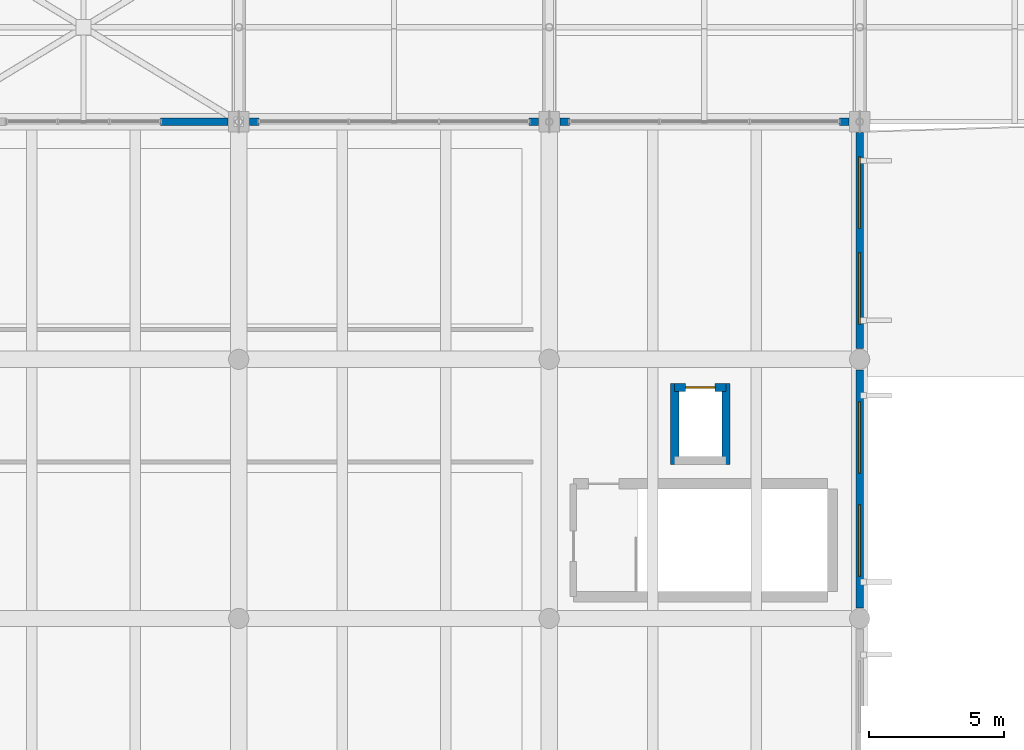
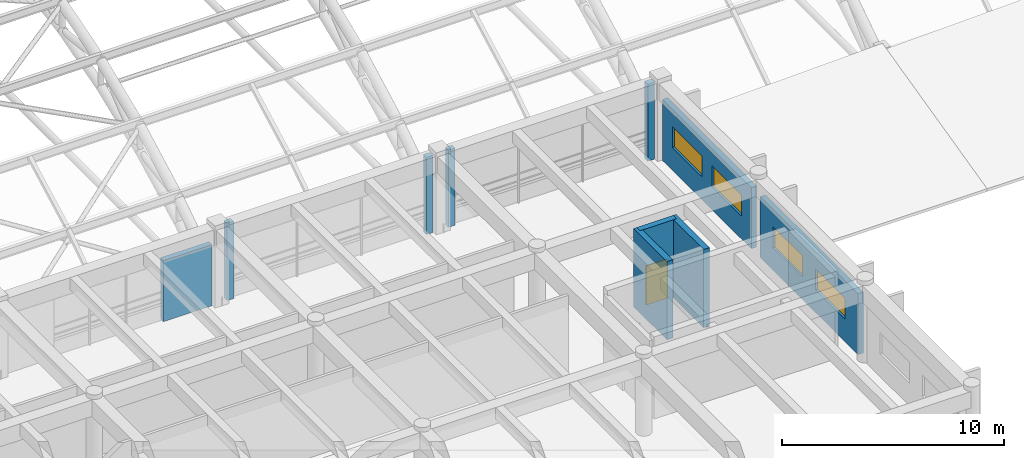
# One storey, part 136 of 154: 10 walls, 4 windows, 1 door, 5 openings.
"""IFC4 building model written with IfcOpenShell, lengths in metres."""

from ifc_helpers import new_model, si_unit, direction, frame, frame_2d, origin, place, context, subcontext, project, spatial, rectangle, extrude, material, layer, layer_set, type_object, element, fill, save


model = new_model("IFC4")

# Units and contexts
model_context = context("Model", 3, precision=1e-05, world=origin(), true_north=direction((0.0, 1.0)))
body_context = subcontext(model_context, "Body", "Model", "MODEL_VIEW")
ifc_project = project(units=[si_unit("LENGTHUNIT", "METRE"), si_unit("AREAUNIT", "SQUARE_METRE"), si_unit("VOLUMEUNIT", "CUBIC_METRE"), si_unit("PLANEANGLEUNIT", "RADIAN"), si_unit("MASSUNIT", "GRAM", prefix="KILO")], contexts=[model_context])

# Site, building, storey
site_placement = place(None, origin())
site = spatial("IfcSite", under=ifc_project, at=site_placement, CompositionType="ELEMENT")
building_placement = place(site_placement, origin())
building = spatial("IfcBuilding", under=site, at=building_placement, Name="Ologun Quay Terminus", CompositionType="ELEMENT")
storey_placement = place(building_placement, frame((0.0, 0.0, 13.800048828125)))
storey = spatial("IfcBuildingStorey", under=building, at=storey_placement, Name="L03", CompositionType="ELEMENT", Elevation=13.800048828125)

# Wall, openings, windows
ifc_material_1 = material(Name="Concrete C40/50", Category="concrete")
ifc_layer_1 = layer(ifc_material_1, 0.280029296875)
ifc_layer_set_1 = layer_set([ifc_layer_1], Name="Concrete C40/50")
wall_type_1 = type_object("IfcWallType", Name="Courtyard Wing Spandrel Concrete Wall 280", PredefinedType="SOLIDWALL", material=ifc_layer_set_1)
wall_1_placement = place(storey_placement, frame((126.5, 17.9951171875, 0.0), z_axis=(0.0, 0.0, 1.0), x_axis=(0.0, 1.0, 0.0)))
wall_1 = element("IfcWall", 1, at=wall_1_placement, inside=storey, type_object=wall_type_1, Name="EW-02 Facade Wall WEW-SA-L03-1-8", PredefinedType="SOLIDWALL", context=body_context, shape_type="SweptSolid", body=[
    extrude(rectangle(XDim=8.809814453125, YDim=0.280029296875, at=frame_2d((4.40478515625, 0.0))), origin(), (0.0, 0.0, 1.0), 3.349853515625),
])
opening_1_placement = place(wall_1_placement, frame((1.169921875, 0.0, 1.25)))
opening_1 = element("IfcOpeningElement", 2, at=opening_1_placement, cuts=wall_1, Name="Opening WN-095", PredefinedType="OPENING", context=body_context, shape_type="SweptSolid", body=[
    extrude(rectangle(XDim=2.64990234375, YDim=1.14990234375, at=frame_2d((1.324951171875, 0.574951171875))), frame((0.0, 0.14990234375, 0.0), z_axis=(0.0, -1.0, 0.0), x_axis=(1.0, 0.0, 0.0)), (0.0, 0.0, 1.0), 0.300048828125),
])
opening_2_placement = place(wall_1_placement, frame((4.989990234375, 0.0, 1.25)))
opening_2 = element("IfcOpeningElement", 3, at=opening_2_placement, cuts=wall_1, Name="Opening WN-096", PredefinedType="OPENING", context=body_context, shape_type="SweptSolid", body=[
    extrude(rectangle(XDim=2.64990234375, YDim=1.14990234375, at=frame_2d((1.324951171875, 0.574951171875))), frame((0.0, 0.14990234375, 0.0), z_axis=(0.0, -1.0, 0.0), x_axis=(1.0, 0.0, 0.0)), (0.0, 0.0, 1.0), 0.300048828125),
])
ifc_material_2 = material(Name="Glass", Category="glass")
window_type = type_object("IfcWindowType", Name="Lecture Room Acoustic Clerestory 2650x1150", PartitioningType="SINGLE_PANEL", PredefinedType="LIGHTDOME", material=ifc_material_2)
window_1_placement = place(opening_1_placement, origin())
window_1 = element("IfcWindow", 4, at=window_1_placement, inside=storey, type_object=window_type, Name="W-28 Window WN-095", OverallHeight=1.14990234375, OverallWidth=2.64990234375, PartitioningType="SINGLE_PANEL", PredefinedType="LIGHTDOME", context=body_context, shape_type="SweptSolid", body=[
    extrude(rectangle(XDim=2.64990234375, YDim=1.14990234375, at=frame_2d((1.324951171875, 0.574951171875))), frame((0.0, 0.030029296875, 0.0), z_axis=(0.0, -1.0, 0.0), x_axis=(1.0, 0.0, 0.0)), (0.0, 0.0, 1.0), 0.06005859375),
])
fill(opening_1, window_1)
window_2_placement = place(opening_2_placement, origin())
window_2 = element("IfcWindow", 5, at=window_2_placement, inside=storey, type_object=window_type, Name="W-28 Window WN-096", OverallHeight=1.14990234375, OverallWidth=2.64990234375, PartitioningType="SINGLE_PANEL", PredefinedType="LIGHTDOME", context=body_context, shape_type="SweptSolid", body=[
    extrude(rectangle(XDim=2.64990234375, YDim=1.14990234375, at=frame_2d((1.324951171875, 0.574951171875))), frame((0.0, 0.030029296875, 0.0), z_axis=(0.0, -1.0, 0.0), x_axis=(1.0, 0.0, 0.0)), (0.0, 0.0, 1.0), 0.06005859375),
])
fill(opening_2, window_2)

wall_2_placement = place(storey_placement, frame((126.5, 27.594970703125, 0.0), z_axis=(0.0, 0.0, 1.0), x_axis=(0.0, 1.0, 0.0)))
wall_2 = element("IfcWall", 6, at=wall_2_placement, inside=storey, type_object=wall_type_1, Name="EW-02 Facade Wall WEW-SA-L03-1-9", PredefinedType="SOLIDWALL", context=body_context, shape_type="SweptSolid", body=[
    extrude(rectangle(XDim=8.010009765625, YDim=0.280029296875, at=frame_2d((4.0048828125, 0.0))), origin(), (0.0, 0.0, 1.0), 3.349853515625),
])
opening_3_placement = place(wall_2_placement, frame((0.9033203125, 0.0, 1.25)))
opening_3 = element("IfcOpeningElement", 7, at=opening_3_placement, cuts=wall_2, Name="Opening WN-097", PredefinedType="OPENING", context=body_context, shape_type="SweptSolid", body=[
    extrude(rectangle(XDim=2.64990234375, YDim=1.14990234375, at=frame_2d((1.324951171875, 0.574951171875))), frame((0.0, 0.14990234375, 0.0), z_axis=(0.0, -1.0, 0.0), x_axis=(1.0, 0.0, 0.0)), (0.0, 0.0, 1.0), 0.300048828125),
])
opening_4_placement = place(wall_2_placement, frame((4.456787109375, 0.0, 1.25)))
opening_4 = element("IfcOpeningElement", 8, at=opening_4_placement, cuts=wall_2, Name="Opening WN-098", PredefinedType="OPENING", context=body_context, shape_type="SweptSolid", body=[
    extrude(rectangle(XDim=2.64990234375, YDim=1.14990234375, at=frame_2d((1.324951171875, 0.574951171875))), frame((0.0, 0.14990234375, 0.0), z_axis=(0.0, -1.0, 0.0), x_axis=(1.0, 0.0, 0.0)), (0.0, 0.0, 1.0), 0.300048828125),
])
window_3_placement = place(opening_3_placement, origin())
window_3 = element("IfcWindow", 9, at=window_3_placement, inside=storey, type_object=window_type, Name="W-28 Window WN-097", OverallHeight=1.14990234375, OverallWidth=2.64990234375, PartitioningType="SINGLE_PANEL", PredefinedType="LIGHTDOME", context=body_context, shape_type="SweptSolid", body=[
    extrude(rectangle(XDim=2.64990234375, YDim=1.14990234375, at=frame_2d((1.324951171875, 0.574951171875))), frame((0.0, 0.030029296875, 0.0), z_axis=(0.0, -1.0, 0.0), x_axis=(1.0, 0.0, 0.0)), (0.0, 0.0, 1.0), 0.06005859375),
])
fill(opening_3, window_3)
window_4_placement = place(opening_4_placement, origin())
window_4 = element("IfcWindow", 10, at=window_4_placement, inside=storey, type_object=window_type, Name="W-28 Window WN-098", OverallHeight=1.14990234375, OverallWidth=2.64990234375, PartitioningType="SINGLE_PANEL", PredefinedType="LIGHTDOME", context=body_context, shape_type="SweptSolid", body=[
    extrude(rectangle(XDim=2.64990234375, YDim=1.14990234375, at=frame_2d((1.324951171875, 0.574951171875))), frame((0.0, 0.030029296875, 0.0), z_axis=(0.0, -1.0, 0.0), x_axis=(1.0, 0.0, 0.0)), (0.0, 0.0, 1.0), 0.06005859375),
])
fill(opening_4, window_4)

# Walls
wall_3_placement = place(storey_placement, frame((100.60498046875, 36.0, 0.0), z_axis=(0.0, 0.0, 1.0), x_axis=(1.0, 0.0, 0.0)))
element("IfcWall", 11, at=wall_3_placement, inside=storey, type_object=wall_type_1, Name="Curtain Wall Jamb Pier CW-L03-043-J2", PredefinedType="SOLIDWALL", context=body_context, shape_type="SweptSolid", body=[
    extrude(rectangle(XDim=2.5, YDim=0.280029296875, at=frame_2d((1.25, 0.0))), origin(), (0.0, 0.0, 1.0), 3.349853515625),
])
for number, where, z_axis, x_axis, name in (
    (12, (103.89501953125, 36.0, 0.0), (0.0, 0.0, 1.0), (1.0, 0.0, 0.0), "Curtain Wall Jamb Pier CW-L03-044-J1"),
    (13, (114.2548828125, 36.0, 0.0), (0.0, 0.0, 1.0), (1.0, 0.0, 0.0), "Curtain Wall Jamb Pier CW-L03-044-J2"),
    (14, (115.39501953125, 36.0, 0.0), (0.0, 0.0, 1.0), (1.0, 0.0, 0.0), "Curtain Wall Jamb Pier CW-L03-045-J1"),
    (15, (125.7548828125, 36.0, 0.0), (0.0, 0.0, 1.0), (1.0, 0.0, 0.0), "Curtain Wall Jamb Pier CW-L03-045-J2"),
):
    element("IfcWall", number, at=place(storey_placement, frame(where, z_axis=z_axis, x_axis=x_axis)), inside=storey, type_object=wall_type_1, Name=name, PredefinedType="SOLIDWALL", context=body_context, shape_type="SweptSolid", body=[
        extrude(rectangle(XDim=0.35009765625, YDim=0.280029296875, at=frame_2d((0.175048828125, 0.0))), origin(), (0.0, 0.0, 1.0), 4.239990234375),
    ])

# Wall, opening, door
ifc_material_3 = material(Name="Concrete C40/50", Category="concrete")
ifc_layer_2 = layer(ifc_material_3, 0.300048828125)
ifc_layer_set_2 = layer_set([ifc_layer_2], Name="Concrete C40/50")
wall_type_2 = type_object("IfcWallType", Name="Lift Shaft Structural Shear Wall 300", PredefinedType="SHEAR", material=ifc_layer_set_2)
wall_4_placement = place(storey_placement, frame((119.64990234375, 26.14990234375, 0.0), z_axis=(0.0, 0.0, 1.0), x_axis=(1.0, 0.0, 0.0)))
wall_4 = element("IfcWall", 16, at=wall_4_placement, inside=storey, type_object=wall_type_2, Name="Lift PL-S2 Shaft Wall N L03", PredefinedType="SHEAR", context=body_context, shape_type="SweptSolid", body=[
    extrude(rectangle(XDim=1.900146484375, YDim=0.300048828125, at=frame_2d((0.9501953125, 0.0))), origin(), (0.0, 0.0, 1.0), 4.300048828125),
])
opening_5_placement = place(wall_4_placement, frame((0.39990234375, 0.0, 0.0)))
opening_5 = element("IfcOpeningElement", 17, at=opening_5_placement, cuts=wall_4, Name="Opening ID-057", PredefinedType="OPENING", context=body_context, shape_type="SweptSolid", body=[
    extrude(rectangle(XDim=1.10009765625, YDim=2.14990234375, at=frame_2d((0.550048828125, 1.074951171875))), frame((0.0, 0.16015625, 0.0), z_axis=(0.0, -1.0, 0.0), x_axis=(1.0, 0.0, 0.0)), (0.0, 0.0, 1.0), 0.320068359375),
])
ifc_material_4 = material(Name="Steel S355", Category="steel")
door_type = type_object("IfcDoorType", Name="Lift Landing Sliding Door 1100x2150", OperationType="SLIDING_TO_LEFT", PredefinedType="DOOR", material=ifc_material_4)
door_placement = place(opening_5_placement, origin())
door = element("IfcDoor", 18, at=door_placement, inside=storey, type_object=door_type, Name="LD-01 Door ID-057", OperationType="SLIDING_TO_LEFT", OverallHeight=2.14990234375, OverallWidth=1.10009765625, PredefinedType="DOOR", context=body_context, shape_type="SweptSolid", body=[
    extrude(rectangle(XDim=1.10009765625, YDim=2.14990234375, at=frame_2d((0.550048828125, 1.074951171875))), frame((0.0, 0.02490234375, 0.0), z_axis=(0.0, -1.0, 0.0), x_axis=(1.0, 0.0, 0.0)), (0.0, 0.0, 1.0), 0.050048828125),
])
fill(opening_5, door)

# Walls
for number, where, z_axis, x_axis, name in (
    (19, (119.64990234375, 23.300048828125, 0.0), (0.0, 0.0, 1.0), (0.0, 1.0, 0.0), "Lift PL-S2 Shaft Wall W L03"),
    (20, (121.550048828125, 23.300048828125, 0.0), (0.0, 0.0, 1.0), (0.0, 1.0, 0.0), "Lift PL-S2 Shaft Wall E L03"),
):
    element("IfcWall", number, at=place(storey_placement, frame(where, z_axis=z_axis, x_axis=x_axis)), inside=storey, type_object=wall_type_2, Name=name, PredefinedType="SHEAR", context=body_context, shape_type="SweptSolid", body=[
        extrude(rectangle(XDim=3.0, YDim=0.300048828125, at=frame_2d((1.5, 0.0))), origin(), (0.0, 0.0, 1.0), 4.300048828125),
    ])

save(model, "model.ifc")
